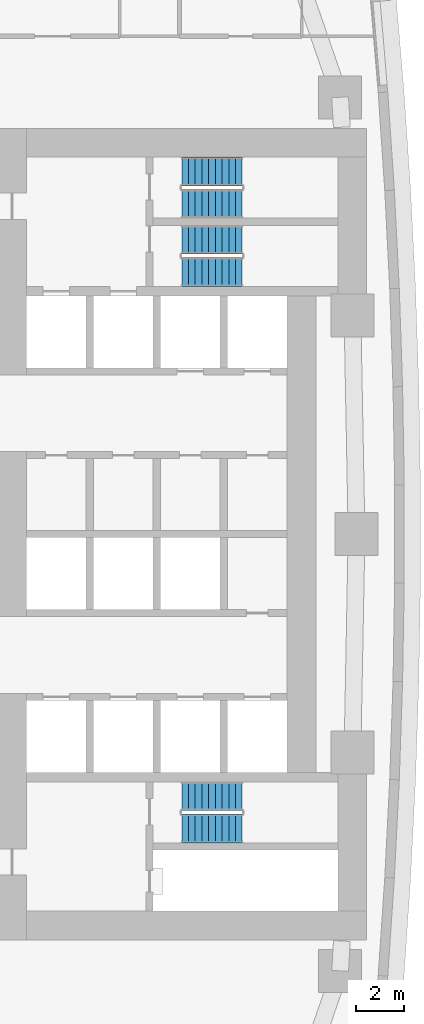
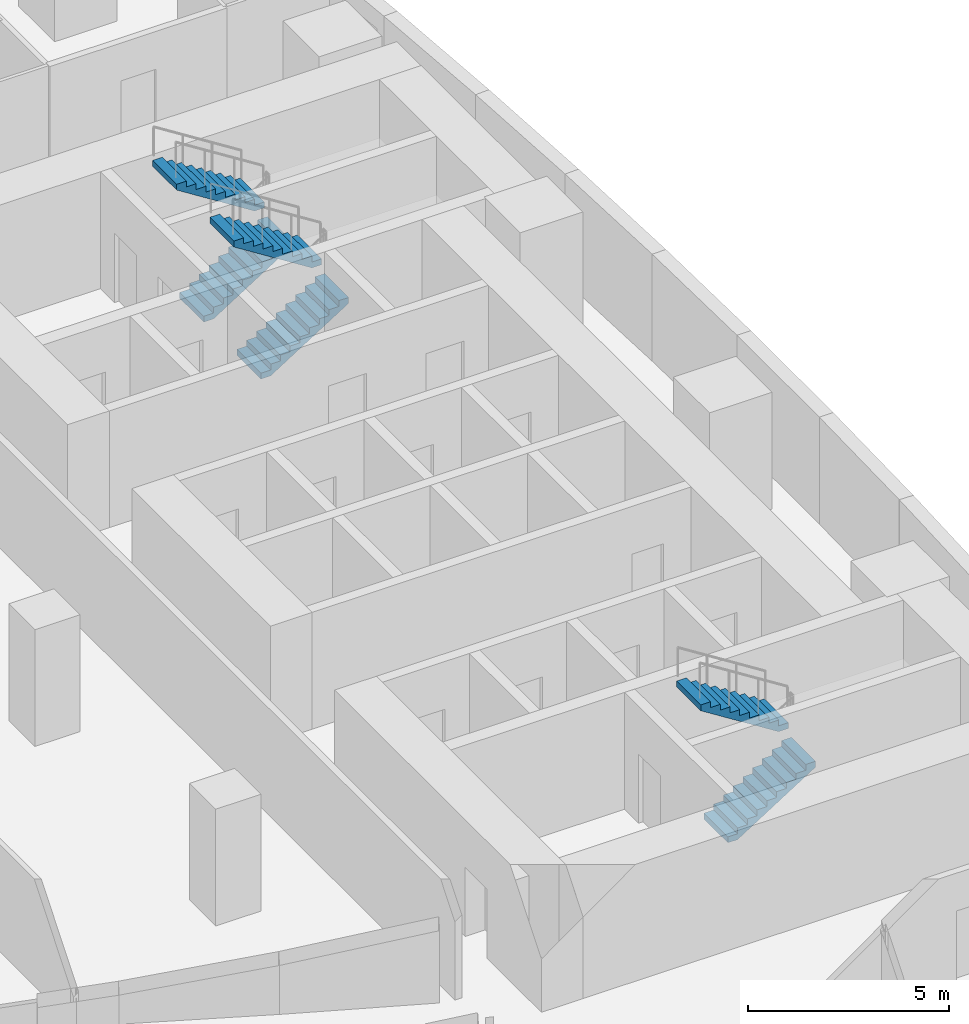
# One storey, part 14 of 19: 6 stair flights, 3 elements without a shape of their own.
"""IFC4 building model written with IfcOpenShell, lengths in metres."""

from ifc_helpers import new_model, si_unit, direction, frame, origin, place, context, subcontext, project, spatial, polyline, outline, extrude, material, type_object, element, aggregate, save


model = new_model("IFC4")

# Units and contexts
model_context = context("Model", 3, precision=1e-05, world=origin(), true_north=direction((0.0, 1.0)))
body_context = subcontext(model_context, "Body", "Model", "MODEL_VIEW")
ifc_project = project(units=[si_unit("LENGTHUNIT", "METRE"), si_unit("AREAUNIT", "SQUARE_METRE"), si_unit("VOLUMEUNIT", "CUBIC_METRE"), si_unit("PLANEANGLEUNIT", "RADIAN"), si_unit("MASSUNIT", "GRAM", prefix="KILO")], contexts=[model_context])

# Site, building, storey
site_placement = place(None, origin())
site = spatial("IfcSite", under=ifc_project, at=site_placement, CompositionType="ELEMENT")
building_placement = place(site_placement, origin())
building = spatial("IfcBuilding", under=site, at=building_placement, Name="Ostrand Prow Hotel Tower", CompositionType="ELEMENT")
storey_placement = place(building_placement, frame((0.0, 0.0, 53.800048828125)))
storey = spatial("IfcBuildingStorey", under=building, at=storey_placement, Name="L11", CompositionType="ELEMENT", Elevation=53.800048828125)

# Stair, stair flights
ifc_material_1 = material(Name="Concrete C40/50", Category="concrete")
stair_type = type_object("IfcStairType", Name="Exit stair 1200 upper zone", PredefinedType="HALF_TURN_STAIR", material=ifc_material_1)
stair_1_placement = place(storey_placement, origin())
stair_1 = element("IfcStair", 1, at=stair_1_placement, inside=storey, type_object=stair_type, Name="L11 ST1C", PredefinedType="HALF_TURN_STAIR")
ifc_material_2 = material(Name="Concrete C40/50", Category="concrete")
stair_flight_type = type_object("IfcStairFlightType", Name="Stair flight 1200 concrete", PredefinedType="STRAIGHT", material=ifc_material_2)
stair_flight_1_placement = place(storey_placement, frame((57.199951171875, 10.949951171875, 0.0), z_axis=(0.0, 0.0, 1.0), x_axis=(1.0, 0.0, 0.0)))
stair_flight_1 = element("IfcStairFlight", 2, at=stair_flight_1_placement, type_object=stair_flight_type, Name="ST1C flight 1", NumberOfRisers=10, NumberOfTreads=9, PredefinedType="STRAIGHT", RiserHeight=0.1775, TreadLength=0.28, context=body_context, shape_type="SweptSolid", body=[
    extrude(outline(polyline([(0.0, 0.0), (0.0, 0.177490234375), (0.280029296875, 0.177490234375), (0.280029296875, 0.35498046875), (0.56005859375, 0.35498046875), (0.56005859375, 0.532470703125), (0.840087890625, 0.532470703125), (0.840087890625, 0.7099609375), (1.1201171875, 0.7099609375), (1.1201171875, 0.887451171875), (1.39990234375, 0.887451171875), (1.39990234375, 1.06494140625), (1.679931640625, 1.06494140625), (1.679931640625, 1.242431640625), (1.9599609375, 1.242431640625), (1.9599609375, 1.419921875), (2.239990234375, 1.419921875), (2.239990234375, 1.597412109375), (2.52001953125, 1.597412109375), (2.52001953125, 1.77490234375), (2.52001953125, 1.419921875), (0.280029296875, 0.0), (0.0, 0.0)])), frame((0.0, 0.60009765625, 0.0), z_axis=(0.0, -1.0, 0.0), x_axis=(1.0, 0.0, 0.0)), (0.0, 0.0, 1.0), 1.199951171875),
])
stair_flight_2_placement = place(storey_placement, frame((59.719970703125, 12.300048828125, 1.77490234375), z_axis=(0.0, 0.0, 1.0), x_axis=(-1.0, 0.0, 0.0)))
stair_flight_2 = element("IfcStairFlight", 3, at=stair_flight_2_placement, type_object=stair_flight_type, Name="ST1C flight 2", NumberOfRisers=10, NumberOfTreads=9, PredefinedType="STRAIGHT", RiserHeight=0.1775, TreadLength=0.28, context=body_context, shape_type="SweptSolid", body=[
    extrude(outline(polyline([(0.0, 0.0), (0.0, 0.177490234375), (0.280029296875, 0.177490234375), (0.280029296875, 0.35498046875), (0.56005859375, 0.35498046875), (0.56005859375, 0.532470703125), (0.840087890625, 0.532470703125), (0.840087890625, 0.7099609375), (1.1201171875, 0.7099609375), (1.1201171875, 0.887451171875), (1.39990234375, 0.887451171875), (1.39990234375, 1.06494140625), (1.679931640625, 1.06494140625), (1.679931640625, 1.242431640625), (1.9599609375, 1.242431640625), (1.9599609375, 1.419921875), (2.239990234375, 1.419921875), (2.239990234375, 1.597412109375), (2.52001953125, 1.597412109375), (2.52001953125, 1.77490234375), (2.52001953125, 1.419921875), (0.280029296875, 0.0), (0.0, 0.0)])), frame((0.0, 0.60009765625, 0.0), z_axis=(0.0, -1.0, 0.0), x_axis=(1.0, 0.0, 0.0)), (0.0, 0.0, 1.0), 1.199951171875),
])
aggregate(stair_1, [stair_flight_1, stair_flight_2])

stair_2_placement = place(storey_placement, origin())
stair_2 = element("IfcStair", 4, at=stair_2_placement, inside=storey, type_object=stair_type, Name="L11 ST3C", PredefinedType="HALF_TURN_STAIR")
stair_flight_3_placement = place(storey_placement, frame((57.199951171875, 13.800048828125, 0.0), z_axis=(0.0, 0.0, 1.0), x_axis=(1.0, 0.0, 0.0)))
stair_flight_3 = element("IfcStairFlight", 5, at=stair_flight_3_placement, type_object=stair_flight_type, Name="ST3C flight 1", NumberOfRisers=10, NumberOfTreads=9, PredefinedType="STRAIGHT", RiserHeight=0.1775, TreadLength=0.28, context=body_context, shape_type="SweptSolid", body=[
    extrude(outline(polyline([(0.0, 0.0), (0.0, 0.177490234375), (0.280029296875, 0.177490234375), (0.280029296875, 0.35498046875), (0.56005859375, 0.35498046875), (0.56005859375, 0.532470703125), (0.840087890625, 0.532470703125), (0.840087890625, 0.7099609375), (1.1201171875, 0.7099609375), (1.1201171875, 0.887451171875), (1.39990234375, 0.887451171875), (1.39990234375, 1.06494140625), (1.679931640625, 1.06494140625), (1.679931640625, 1.242431640625), (1.9599609375, 1.242431640625), (1.9599609375, 1.419921875), (2.239990234375, 1.419921875), (2.239990234375, 1.597412109375), (2.52001953125, 1.597412109375), (2.52001953125, 1.77490234375), (2.52001953125, 1.419921875), (0.280029296875, 0.0), (0.0, 0.0)])), frame((0.0, 0.60009765625, 0.0), z_axis=(0.0, -1.0, 0.0), x_axis=(1.0, 0.0, 0.0)), (0.0, 0.0, 1.0), 1.199951171875),
])
stair_flight_4_placement = place(storey_placement, frame((59.719970703125, 15.14990234375, 1.77490234375), z_axis=(0.0, 0.0, 1.0), x_axis=(-1.0, 0.0, 0.0)))
stair_flight_4 = element("IfcStairFlight", 6, at=stair_flight_4_placement, type_object=stair_flight_type, Name="ST3C flight 2", NumberOfRisers=10, NumberOfTreads=9, PredefinedType="STRAIGHT", RiserHeight=0.1775, TreadLength=0.28, context=body_context, shape_type="SweptSolid", body=[
    extrude(outline(polyline([(0.0, 0.0), (0.0, 0.177490234375), (0.280029296875, 0.177490234375), (0.280029296875, 0.35498046875), (0.56005859375, 0.35498046875), (0.56005859375, 0.532470703125), (0.840087890625, 0.532470703125), (0.840087890625, 0.7099609375), (1.1201171875, 0.7099609375), (1.1201171875, 0.887451171875), (1.39990234375, 0.887451171875), (1.39990234375, 1.06494140625), (1.679931640625, 1.06494140625), (1.679931640625, 1.242431640625), (1.9599609375, 1.242431640625), (1.9599609375, 1.419921875), (2.239990234375, 1.419921875), (2.239990234375, 1.597412109375), (2.52001953125, 1.597412109375), (2.52001953125, 1.77490234375), (2.52001953125, 1.419921875), (0.280029296875, 0.0), (0.0, 0.0)])), frame((0.0, 0.60009765625, 0.0), z_axis=(0.0, -1.0, 0.0), x_axis=(1.0, 0.0, 0.0)), (0.0, 0.0, 1.0), 1.199951171875),
])
aggregate(stair_2, [stair_flight_3, stair_flight_4])

stair_3_placement = place(storey_placement, origin())
stair_3 = element("IfcStair", 7, at=stair_3_placement, inside=storey, type_object=stair_type, Name="L11 ST2C", PredefinedType="HALF_TURN_STAIR")
stair_flight_5_placement = place(storey_placement, frame((57.199951171875, -12.300048828125, 0.0), z_axis=(0.0, 0.0, 1.0), x_axis=(1.0, 0.0, 0.0)))
stair_flight_5 = element("IfcStairFlight", 8, at=stair_flight_5_placement, type_object=stair_flight_type, Name="ST2C flight 1", NumberOfRisers=10, NumberOfTreads=9, PredefinedType="STRAIGHT", RiserHeight=0.1775, TreadLength=0.28, context=body_context, shape_type="SweptSolid", body=[
    extrude(outline(polyline([(0.0, 0.0), (0.0, 0.177490234375), (0.280029296875, 0.177490234375), (0.280029296875, 0.35498046875), (0.56005859375, 0.35498046875), (0.56005859375, 0.532470703125), (0.840087890625, 0.532470703125), (0.840087890625, 0.7099609375), (1.1201171875, 0.7099609375), (1.1201171875, 0.887451171875), (1.39990234375, 0.887451171875), (1.39990234375, 1.06494140625), (1.679931640625, 1.06494140625), (1.679931640625, 1.242431640625), (1.9599609375, 1.242431640625), (1.9599609375, 1.419921875), (2.239990234375, 1.419921875), (2.239990234375, 1.597412109375), (2.52001953125, 1.597412109375), (2.52001953125, 1.77490234375), (2.52001953125, 1.419921875), (0.280029296875, 0.0), (0.0, 0.0)])), frame((0.0, 0.60009765625, 0.0), z_axis=(0.0, -1.0, 0.0), x_axis=(1.0, 0.0, 0.0)), (0.0, 0.0, 1.0), 1.199951171875),
])
stair_flight_6_placement = place(storey_placement, frame((59.719970703125, -10.949951171875, 1.77490234375), z_axis=(0.0, 0.0, 1.0), x_axis=(-1.0, 0.0, 0.0)))
stair_flight_6 = element("IfcStairFlight", 9, at=stair_flight_6_placement, type_object=stair_flight_type, Name="ST2C flight 2", NumberOfRisers=10, NumberOfTreads=9, PredefinedType="STRAIGHT", RiserHeight=0.1775, TreadLength=0.28, context=body_context, shape_type="SweptSolid", body=[
    extrude(outline(polyline([(0.0, 0.0), (0.0, 0.177490234375), (0.280029296875, 0.177490234375), (0.280029296875, 0.35498046875), (0.56005859375, 0.35498046875), (0.56005859375, 0.532470703125), (0.840087890625, 0.532470703125), (0.840087890625, 0.7099609375), (1.1201171875, 0.7099609375), (1.1201171875, 0.887451171875), (1.39990234375, 0.887451171875), (1.39990234375, 1.06494140625), (1.679931640625, 1.06494140625), (1.679931640625, 1.242431640625), (1.9599609375, 1.242431640625), (1.9599609375, 1.419921875), (2.239990234375, 1.419921875), (2.239990234375, 1.597412109375), (2.52001953125, 1.597412109375), (2.52001953125, 1.77490234375), (2.52001953125, 1.419921875), (0.280029296875, 0.0), (0.0, 0.0)])), frame((0.0, 0.60009765625, 0.0), z_axis=(0.0, -1.0, 0.0), x_axis=(1.0, 0.0, 0.0)), (0.0, 0.0, 1.0), 1.199951171875),
])
aggregate(stair_3, [stair_flight_5, stair_flight_6])

save(model, "model.ifc")
